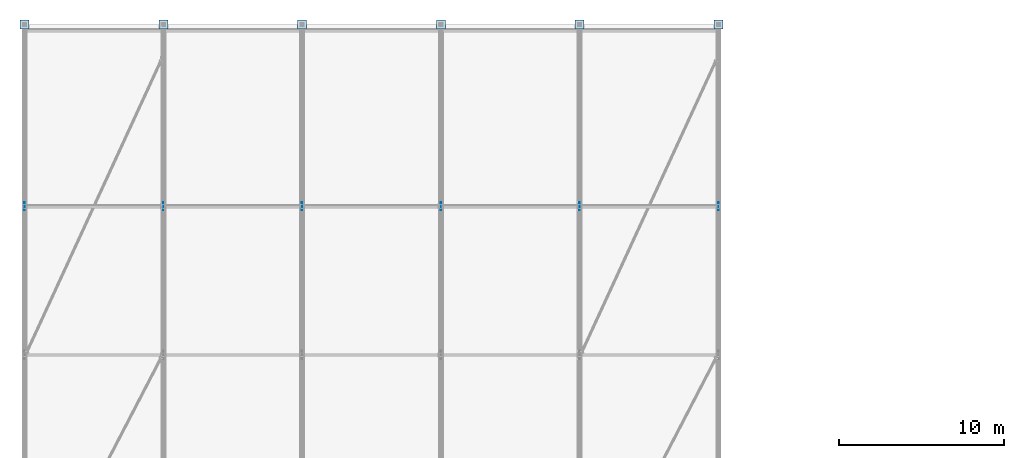
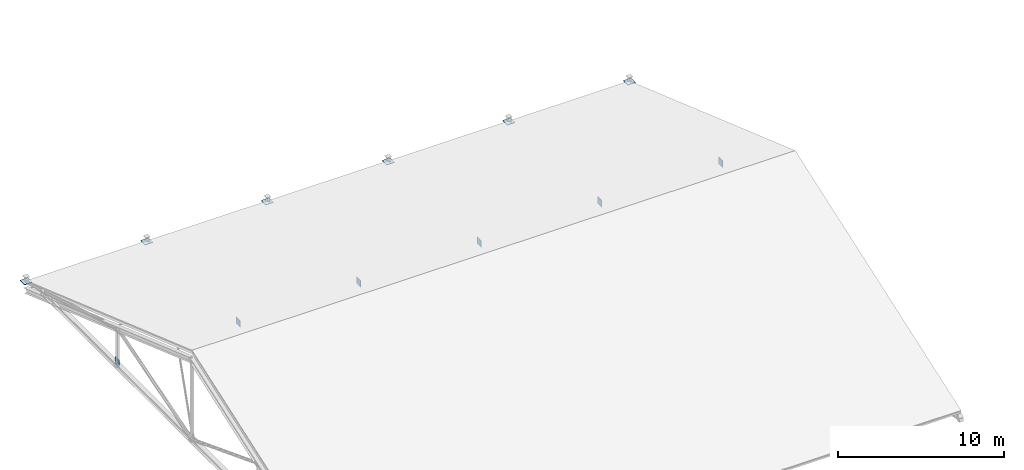
# One storey, part 37 of 57: 12 plates.
"""IFC4 building model written with IfcOpenShell, lengths in metres."""

from ifc_helpers import new_model, si_unit, direction, frame, origin, origin_2d, place, context, subcontext, project, spatial, rectangle, extrude, material, layer, layer_set, type_object, element, save


model = new_model("IFC4")

# Units and contexts
model_context = context("Model", 3, precision=1e-05, world=origin(), true_north=direction((0.0, 1.0)))
body_context = subcontext(model_context, "Body", "Model", "MODEL_VIEW")
ifc_project = project(units=[si_unit("LENGTHUNIT", "METRE"), si_unit("AREAUNIT", "SQUARE_METRE"), si_unit("VOLUMEUNIT", "CUBIC_METRE"), si_unit("PLANEANGLEUNIT", "RADIAN"), si_unit("MASSUNIT", "GRAM", prefix="KILO")], contexts=[model_context])

# Site, building, storey
site_placement = place(None, origin())
site = spatial("IfcSite", under=ifc_project, at=site_placement, CompositionType="ELEMENT")
building_placement = place(site_placement, origin())
building = spatial("IfcBuilding", under=site, at=building_placement, Name="Kelarvand Opera House", CompositionType="ELEMENT")
storey_placement = place(building_placement, frame((0.0, 0.0, 33.60009765625)))
storey = spatial("IfcBuildingStorey", under=building, at=storey_placement, Name="Roof", CompositionType="ELEMENT", Elevation=33.60009765625)

# Plates
ifc_material = material(Name="Steel S355", Category="steel")
ifc_layer_1 = layer(ifc_material, 0.035888671875, Name="Steel S355", Category="steel")
ifc_layer_set_1 = layer_set([ifc_layer_1], Name="Steel S355")
plate_type_1 = type_object("IfcPlateType", Name="Steel Truss Bearing Base Plate 36mm", PredefinedType="USERDEFINED", material=ifc_layer_set_1)
for number, where, z_axis, x_axis, name in (
    (1, (9.0, 125.0, -14.10009765625), (0.0, 0.0, 1.0), (1.0, 0.0, 0.0), "V3 Roof Truss Bearing Plate 1N"),
    (2, (17.39990234375, 125.0, -14.10009765625), (0.0, 0.0, 1.0), (1.0, 0.0, 0.0), "V3 Roof Truss Bearing Plate 2N"),
    (3, (25.800048828125, 125.0, -14.10009765625), (0.0, 0.0, 1.0), (1.0, 0.0, 0.0), "V3 Roof Truss Bearing Plate 3N"),
    (4, (34.199951171875, 125.0, -14.10009765625), (0.0, 0.0, 1.0), (1.0, 0.0, 0.0), "V3 Roof Truss Bearing Plate 4N"),
    (5, (42.60009765625, 125.0, -14.10009765625), (0.0, 0.0, 1.0), (1.0, 0.0, 0.0), "V3 Roof Truss Bearing Plate 5N"),
    (6, (51.0, 125.0, -14.10009765625), (0.0, 0.0, 1.0), (1.0, 0.0, 0.0), "V3 Roof Truss Bearing Plate 6N"),
):
    element("IfcPlate", number, at=place(storey_placement, frame(where, z_axis=z_axis, x_axis=x_axis)), inside=storey, type_object=plate_type_1, Name=name, ObjectType="BASE PLATE", PredefinedType="USERDEFINED", context=body_context, shape_type="SweptSolid", body=[
        extrude(rectangle(XDim=0.550048828125, YDim=0.550048828125, at=origin_2d()), origin(), (0.0, 0.0, 1.0), 0.035888671875),
    ])
ifc_layer_2 = layer(ifc_material, 0.02392578125, Name="Steel S355", Category="steel")
ifc_layer_set_2 = layer_set([ifc_layer_2], Name="Steel S355")
plate_type_2 = type_object("IfcPlateType", Name="Steel Truss Gusset Plate 24mm", PredefinedType="SHEET", material=ifc_layer_set_2)
for number, where, z_axis, x_axis, name in (
    (7, (9.0, 114.0, -13.580078125), (0.0, 0.0, 1.0), (1.0, 0.0, 0.0), "Roof Truss Gusset Plate 79"),
    (8, (17.39990234375, 114.0, -13.580078125), (0.0, 0.0, 1.0), (1.0, 0.0, 0.0), "Roof Truss Gusset Plate 82"),
    (9, (25.800048828125, 114.0, -13.580078125), (0.0, 0.0, 1.0), (1.0, 0.0, 0.0), "Roof Truss Gusset Plate 85"),
    (10, (34.199951171875, 114.0, -13.580078125), (0.0, 0.0, 1.0), (1.0, 0.0, 0.0), "Roof Truss Gusset Plate 88"),
    (11, (42.60009765625, 114.0, -13.580078125), (0.0, 0.0, 1.0), (1.0, 0.0, 0.0), "Roof Truss Gusset Plate 91"),
    (12, (51.0, 114.0, -13.580078125), (0.0, 0.0, 1.0), (1.0, 0.0, 0.0), "Roof Truss Gusset Plate 94"),
):
    element("IfcPlate", number, at=place(storey_placement, frame(where, z_axis=z_axis, x_axis=x_axis)), inside=storey, type_object=plate_type_2, Name=name, PredefinedType="SHEET", context=body_context, shape_type="SweptSolid", body=[
        extrude(rectangle(XDim=0.02392578125, YDim=0.5, at=origin_2d()), origin(), (0.0, 0.0, 1.0), 0.5),
    ])

save(model, "model.ifc")
